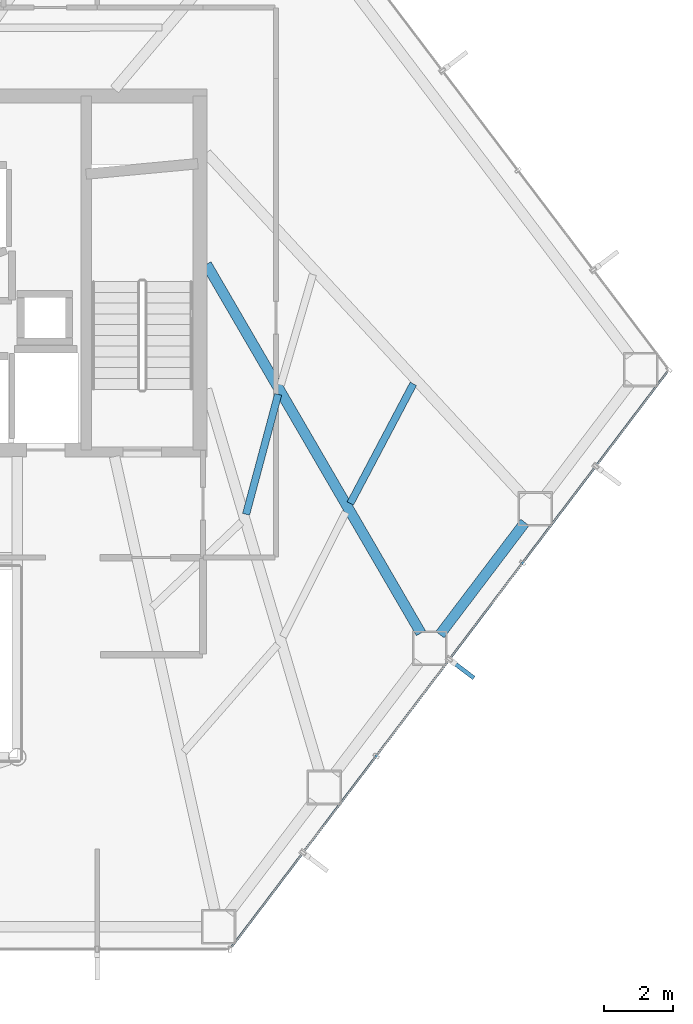
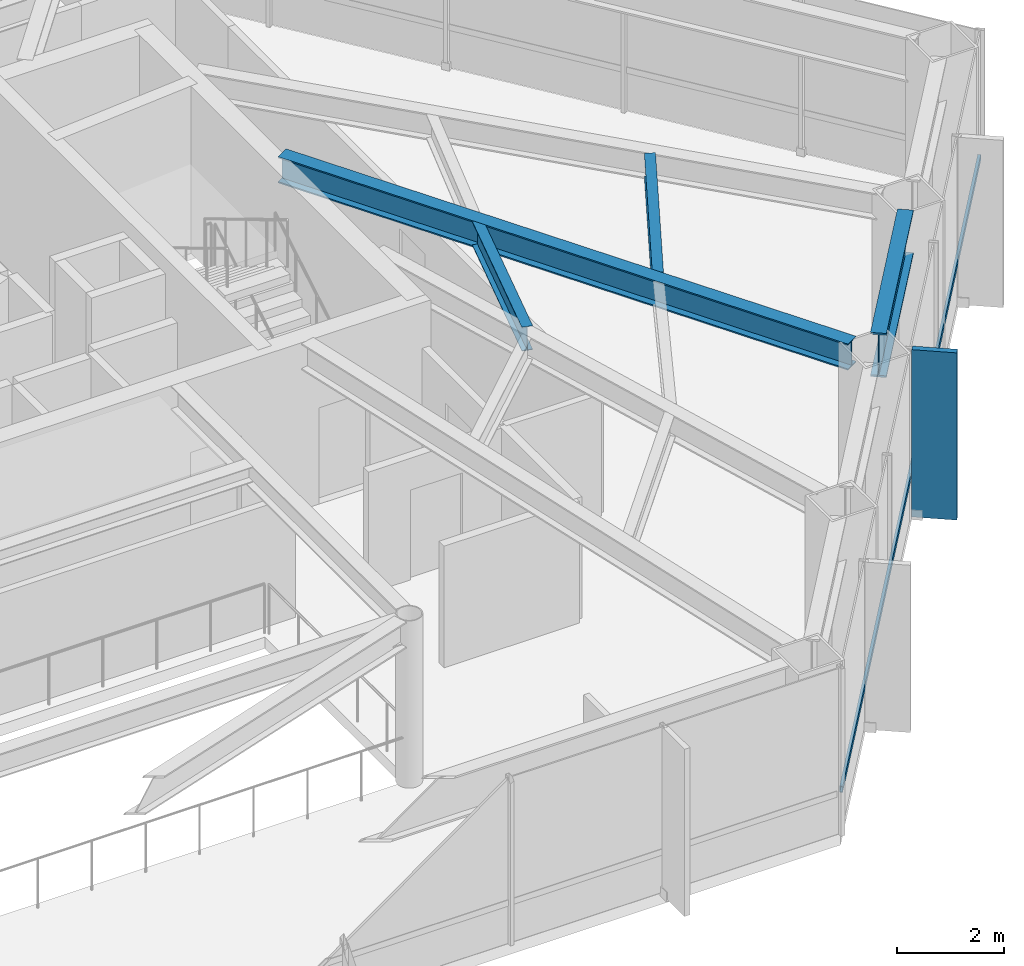
# One storey, part 17 of 25: 4 beams, 2 members, 1 element without a shape of its own.
"""IFC4 building model written with IfcOpenShell, lengths in metres."""

from ifc_helpers import new_model, si_unit, direction, frame, origin, origin_2d, place, context, subcontext, project, spatial, rectangle, hollow_rectangle, i_section, extrude, material, layer, layer_set, material_profile, profile_set, type_object, element, aggregate, save


model = new_model("IFC4")

# Units and contexts
model_context = context("Model", 3, precision=1e-05, world=origin(), true_north=direction((0.0, 1.0)))
body_context = subcontext(model_context, "Body", "Model", "MODEL_VIEW")
ifc_project = project(units=[si_unit("LENGTHUNIT", "METRE"), si_unit("AREAUNIT", "SQUARE_METRE"), si_unit("VOLUMEUNIT", "CUBIC_METRE"), si_unit("PLANEANGLEUNIT", "RADIAN"), si_unit("MASSUNIT", "GRAM", prefix="KILO")], contexts=[model_context])

# Site, building, storey
site_placement = place(None, origin())
site = spatial("IfcSite", under=ifc_project, at=site_placement, CompositionType="ELEMENT")
building_placement = place(site_placement, origin())
building = spatial("IfcBuilding", under=site, at=building_placement, Name="Zarrinselat Tower", CompositionType="ELEMENT")
storey_placement = place(building_placement, frame((0.0, 0.0, 52.02001953125)))
storey = spatial("IfcBuildingStorey", under=building, at=storey_placement, Name="L12", CompositionType="ELEMENT", Elevation=52.02001953125)

# Beams
ifc_material_1 = material(Name="Steel S355J2", Category="steel")
ifc_material_profile_1 = material_profile(ifc_material_1, i_section(OverallWidth=0.300048828125, OverallDepth=0.60009765625, WebThickness=0.015380859375, FlangeThickness=0.030029296875, at=origin_2d()), Name="HEB 600")
ifc_profile_set_1 = profile_set([ifc_material_profile_1], Name="Steel S355J2")
beam_type_1 = type_object("IfcBeamType", Name="BM-HEB600", PredefinedType="BEAM", material=ifc_profile_set_1)
beam_1_placement = place(storey_placement, frame((48.449951171875, 38.60009765625, 3.52001953125), z_axis=(0.502612172736, -0.864512003281, 0.0), x_axis=(0.864512003281, 0.502612172736, 0.0)))
element("IfcBeam", 1, at=beam_1_placement, inside=storey, type_object=beam_type_1, Name="L12 Radial Primary Girder RG13", PredefinedType="BEAM", context=body_context, shape_type="SweptSolid", body=[
    extrude(i_section(OverallWidth=0.300048828125, OverallDepth=0.60009765625, WebThickness=0.015380859375, FlangeThickness=0.030029296875, at=origin_2d()), origin(), (0.0, 0.0, 1.0), 12.292724609375),
])
ifc_material_2 = material(Name="Steel S460M", Category="steel")
ifc_material_profile_2 = material_profile(ifc_material_2, i_section(OverallWidth=0.302001953125, OverallDepth=1.008056640625, WebThickness=0.02099609375, FlangeThickness=0.0400390625, at=origin_2d()), Name="HEM 1000")
ifc_profile_set_2 = profile_set([ifc_material_profile_2], Name="Steel S460M")
beam_type_2 = type_object("IfcBeamType", Name="BM-HEM1000", PredefinedType="BEAM", material=ifc_profile_set_2)
beam_2_placement = place(storey_placement, frame((55.17529296875, 27.927734375, 3.31591796875), z_axis=(0.603890109668, 0.797067585243, 0.0), x_axis=(-0.797067585243, 0.603890109668, 0.0)))
element("IfcBeam", 2, at=beam_2_placement, inside=storey, type_object=beam_type_2, Name="L12 Perimeter Spandrel Girder SP13", PredefinedType="BEAM", context=body_context, shape_type="SweptSolid", body=[
    extrude(i_section(OverallWidth=0.302001953125, OverallDepth=1.008056640625, WebThickness=0.02099609375, FlangeThickness=0.0400390625, at=origin_2d()), origin(), (0.0, 0.0, 1.0), 4.059326171875),
])
ifc_material_3 = material(Name="Steel S355J2", Category="steel")
ifc_material_profile_3 = material_profile(ifc_material_3, i_section(OverallWidth=0.2099609375, OverallDepth=0.550048828125, WebThickness=0.010986328125, FlangeThickness=0.01708984375, at=origin_2d()), Name="IPE 550")
ifc_profile_set_3 = profile_set([ifc_material_profile_3], Name="Steel S355J2")
beam_type_3 = type_object("IfcBeamType", Name="BM-IPE550", PredefinedType="JOIST", material=ifc_profile_set_3)
beam_3_placement = place(storey_placement, frame((49.590576171875, 31.3974609375, 3.544921875), z_axis=(0.258376559287, 0.966044281392, 0.0), x_axis=(-0.966044281392, 0.258376559287, 0.0)))
element("IfcBeam", 3, at=beam_3_placement, inside=storey, type_object=beam_type_3, Name="L12 Composite Floor Joist 4-2", PredefinedType="JOIST", context=body_context, shape_type="SweptSolid", body=[
    extrude(i_section(OverallWidth=0.2099609375, OverallDepth=0.550048828125, WebThickness=0.010986328125, FlangeThickness=0.01708984375, at=origin_2d()), origin(), (0.0, 0.0, 1.0), 3.575439453125),
])
beam_4_placement = place(storey_placement, frame((52.593017578125, 31.7099609375, 3.544921875), z_axis=(0.466582989708, 0.884477424084, 0.0), x_axis=(-0.884477424084, 0.466582989708, 0.0)))
element("IfcBeam", 4, at=beam_4_placement, inside=storey, type_object=beam_type_3, Name="L12 Composite Floor Joist 5-1", PredefinedType="JOIST", context=body_context, shape_type="SweptSolid", body=[
    extrude(i_section(OverallWidth=0.2099609375, OverallDepth=0.550048828125, WebThickness=0.010986328125, FlangeThickness=0.01708984375, at=origin_2d()), origin(), (0.0, 0.0, 1.0), 3.896240234375),
])

# Curtain wall, members
ifc_material_4 = material(Name="Extruded Aluminium Alloy EN AW-6063 T6", Category="aluminium")
ifc_layer = layer(ifc_material_4, 0.18505859375)
ifc_layer_set = layer_set([ifc_layer], Name="Extruded Aluminium Alloy EN AW-6063 T6")
curtain_wall_type = type_object("IfcCurtainWallType", Name="CWS-OFF", PredefinedType="NOTDEFINED", material=ifc_layer_set)
curtain_wall_placement = place(storey_placement, origin())
curtain_wall = element("IfcCurtainWall", 5, at=curtain_wall_placement, inside=storey, type_object=curtain_wall_type, Name="L12 Unitised Curtain Wall CW-L12-E05", PredefinedType="NOTDEFINED")
ifc_material_5 = material(Name="Extruded Aluminium Alloy EN AW-6063 T6", Category="aluminium")
ifc_material_profile_4 = material_profile(ifc_material_5, hollow_rectangle(XDim=0.06005859375, YDim=0.139892578125, WallThickness=0.00390625, at=origin_2d()), Name="RHS 140x60x4")
ifc_profile_set_4 = profile_set([ifc_material_profile_4], Name="Extruded Aluminium Alloy EN AW-6063 T6")
member_type_1 = type_object("IfcMemberType", Name="MEM-CW-TRN", PredefinedType="USERDEFINED", material=ifc_profile_set_4)
member_1_placement = place(storey_placement, frame((49.177001953125, 18.933349609375, 0.949951171875), z_axis=(0.603860402873, 0.797090091422, 0.0), x_axis=(-0.797090091422, 0.603860402873, 0.0)))
member_1 = element("IfcMember", 6, at=member_1_placement, type_object=member_type_1, Name="CW-L12-E05 Transom 1", ObjectType="TRANSOM", PredefinedType="USERDEFINED", context=body_context, shape_type="SweptSolid", body=[
    extrude(hollow_rectangle(XDim=0.06005859375, YDim=0.139892578125, WallThickness=0.00390625, at=origin_2d()), origin(), (0.0, 0.0, 1.0), 20.776611328125),
])
ifc_material_6 = material(Name="Honed Cream Travertine Stone", Category="masonry")
ifc_material_profile_5 = material_profile(ifc_material_6, rectangle(XDim=0.1201171875, YDim=0.85009765625, at=origin_2d()), Name="FIN 850x120")
ifc_profile_set_5 = profile_set([ifc_material_profile_5], Name="Honed Cream Travertine Stone")
member_type_2 = type_object("IfcMemberType", Name="MEM-STONE-FIN", PredefinedType="USERDEFINED", material=ifc_profile_set_5)
member_2_placement = place(storey_placement, frame((55.816650390625, 26.93603515625, 0.0), z_axis=(0.0, 0.0, 1.0), x_axis=(-0.603860811653, -0.797089781737, 0.0)))
member_2 = element("IfcMember", 7, at=member_2_placement, type_object=member_type_2, Name="L12 Stone Shading Fin CW-L12-E05-03", ObjectType="FIN", PredefinedType="USERDEFINED", context=body_context, shape_type="SweptSolid", body=[
    extrude(rectangle(XDim=0.1201171875, YDim=0.85009765625, at=origin_2d()), origin(), (0.0, 0.0, 1.0), 3.820068359375),
])
aggregate(curtain_wall, [member_2, member_1])

save(model, "model.ifc")
